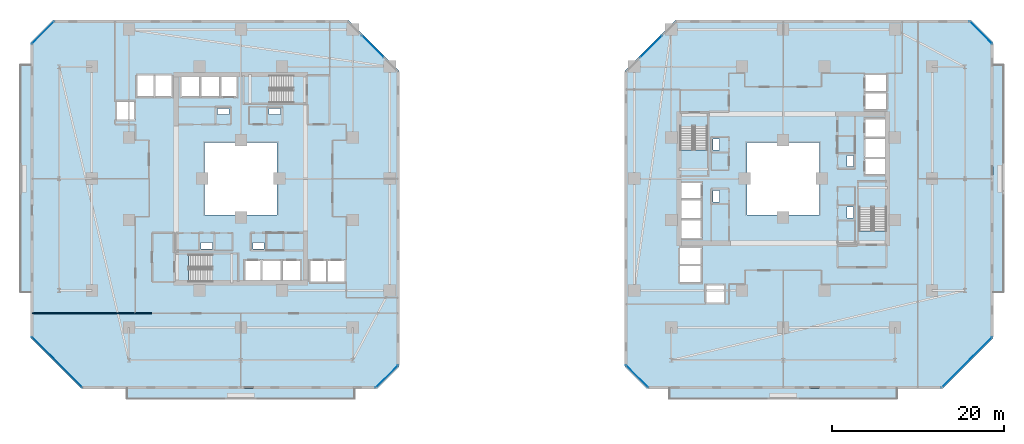
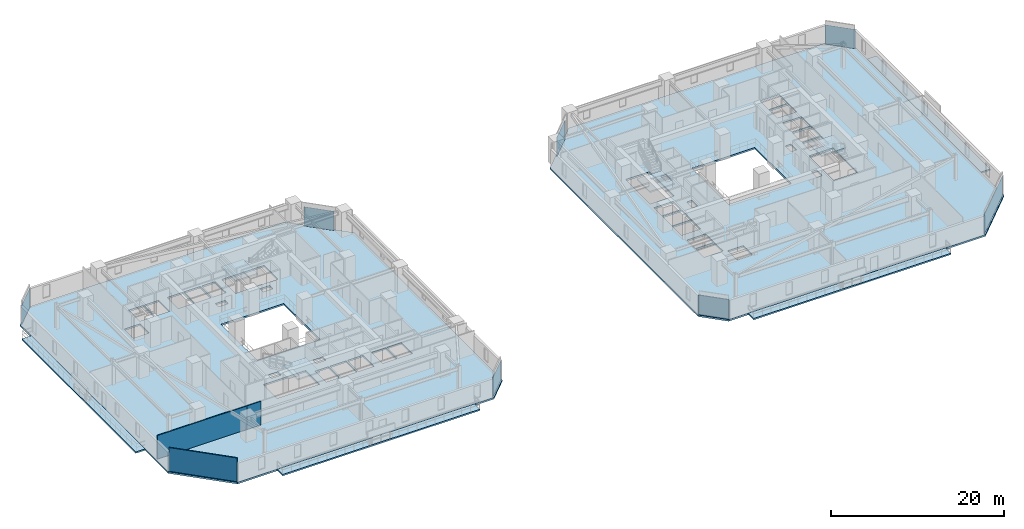
# One storey, part 17 of 33: 10 slabs, 8 plates, 3 walls, 12 elements without a shape of their own.
"""IFC4 building model written with IfcOpenShell, lengths in metres."""

from ifc_helpers import new_model, si_unit, direction, frame, frame_2d, origin, origin_2d, place, context, subcontext, project, spatial, polyline, rectangle, outline, extrude, material, layer, layer_set, type_object, element, aggregate, save


model = new_model("IFC4")

# Units and contexts
model_context = context("Model", 3, precision=1e-05, world=origin(), true_north=direction((0.0, 1.0)))
body_context = subcontext(model_context, "Body", "Model", "MODEL_VIEW")
ifc_project = project(units=[si_unit("LENGTHUNIT", "METRE"), si_unit("AREAUNIT", "SQUARE_METRE"), si_unit("VOLUMEUNIT", "CUBIC_METRE"), si_unit("PLANEANGLEUNIT", "RADIAN"), si_unit("MASSUNIT", "GRAM", prefix="KILO")], contexts=[model_context])

# Site, building, storey
site_placement = place(None, origin())
site = spatial("IfcSite", under=ifc_project, at=site_placement, CompositionType="ELEMENT")
building_placement = place(site_placement, origin())
building = spatial("IfcBuilding", under=site, at=building_placement, Name="Thornwick Lancets Civic Towers", CompositionType="ELEMENT")
storey_placement = place(building_placement, frame((0.0, 0.0, 31.5)))
storey = spatial("IfcBuildingStorey", under=building, at=storey_placement, Name="L07", CompositionType="ELEMENT", Elevation=31.5)

# Curtain wall, plate
ifc_material_1 = material(Name="Low-zone chamfered-corner unitised glass curtain wall", Category="glass")
curtain_wall_type = type_object("IfcCurtainWallType", Name="CW_SYS_03", PredefinedType="NOTDEFINED", material=ifc_material_1)
curtain_wall_1_placement = place(storey_placement, origin())
curtain_wall_1 = element("IfcCurtainWall", 1, at=curtain_wall_1_placement, inside=storey, type_object=curtain_wall_type, Name="L07 Curtain Wall CW-L07-A-E1", PredefinedType="NOTDEFINED")
ifc_material_2 = material(Name="Low-e double glazing clear glass", Category="glass")
ifc_layer_1 = layer(ifc_material_2, 0.035888671875, Name="Low-e double glazing clear glass")
ifc_layer_set_1 = layer_set([ifc_layer_1], Name="Low-e double glazing clear glass")
plate_type = type_object("IfcPlateType", Name="CW_PNL_GLASS", PredefinedType="CURTAIN_PANEL", material=ifc_layer_set_1)
plate_1_placement = place(storey_placement, frame((42.472900390625, 4.027099609375, 0.0), z_axis=(0.0, 0.0, 1.0), x_axis=(0.707106781187, 0.707106781187, 0.0)))
plate_1 = element("IfcPlate", 2, at=plate_1_placement, type_object=plate_type, Name="CW-L07-A-E1 Panel 0", PredefinedType="CURTAIN_PANEL", context=body_context, shape_type="SweptSolid", body=[
    extrude(rectangle(XDim=3.64990234375, YDim=0.035888671875, at=origin_2d()), origin(), (0.0, 0.0, 1.0), 2.699951171875),
])
aggregate(curtain_wall_1, [plate_1])

curtain_wall_2_placement = place(storey_placement, origin())
curtain_wall_2 = element("IfcCurtainWall", 3, at=curtain_wall_2_placement, inside=storey, type_object=curtain_wall_type, Name="L07 Curtain Wall CW-L07-A-E3", PredefinedType="NOTDEFINED")
plate_2_placement = place(storey_placement, frame((40.837890625, 42.337890625, 0.0), z_axis=(0.0, 0.0, 1.0), x_axis=(-0.707106781187, 0.707106781187, 0.0)))
plate_2 = element("IfcPlate", 4, at=plate_2_placement, type_object=plate_type, Name="CW-L07-A-E3 Panel 0", PredefinedType="CURTAIN_PANEL", context=body_context, shape_type="SweptSolid", body=[
    extrude(rectangle(XDim=3.5771484375, YDim=0.035888671875, at=origin_2d()), origin(), (0.0, 0.0, 1.0), 2.699951171875),
])
aggregate(curtain_wall_2, [plate_2])

curtain_wall_3_placement = place(storey_placement, origin())
curtain_wall_3 = element("IfcCurtainWall", 5, at=curtain_wall_3_placement, inside=storey, type_object=curtain_wall_type, Name="L07 Curtain Wall CW-L07-A-E5", PredefinedType="NOTDEFINED")
plate_3_placement = place(storey_placement, frame((2.527099609375, 43.972900390625, 0.0), z_axis=(0.0, 0.0, 1.0), x_axis=(-0.707106781187, -0.707106781187, 0.0)))
plate_3 = element("IfcPlate", 6, at=plate_3_placement, type_object=plate_type, Name="CW-L07-A-E5 Panel 0", PredefinedType="CURTAIN_PANEL", context=body_context, shape_type="SweptSolid", body=[
    extrude(rectangle(XDim=3.64990234375, YDim=0.035888671875, at=origin_2d()), origin(), (0.0, 0.0, 1.0), 2.699951171875),
])
aggregate(curtain_wall_3, [plate_3])

curtain_wall_4_placement = place(storey_placement, origin())
curtain_wall_4 = element("IfcCurtainWall", 7, at=curtain_wall_4_placement, inside=storey, type_object=curtain_wall_type, Name="L07 Curtain Wall CW-L07-A-E7", PredefinedType="NOTDEFINED")
plate_4_placement = place(storey_placement, frame((4.162109375, 5.662109375, 0.0), z_axis=(0.0, 0.0, 1.0), x_axis=(0.707106781187, -0.707106781187, 0.0)))
plate_4 = element("IfcPlate", 8, at=plate_4_placement, type_object=plate_type, Name="CW-L07-A-E7 Panel 0", PredefinedType="CURTAIN_PANEL", context=body_context, shape_type="SweptSolid", body=[
    extrude(rectangle(XDim=8.2451171875, YDim=0.035888671875, at=origin_2d()), origin(), (0.0, 0.0, 1.0), 2.699951171875),
])
aggregate(curtain_wall_4, [plate_4])

curtain_wall_5_placement = place(storey_placement, origin())
curtain_wall_5 = element("IfcCurtainWall", 9, at=curtain_wall_5_placement, inside=storey, type_object=curtain_wall_type, Name="L07 Curtain Wall CW-L07-B-E1", PredefinedType="NOTDEFINED")
plate_5_placement = place(storey_placement, frame((109.837890625, 5.662109375, 0.0), z_axis=(0.0, 0.0, 1.0), x_axis=(0.707106781187, 0.707106781187, 0.0)))
plate_5 = element("IfcPlate", 10, at=plate_5_placement, type_object=plate_type, Name="CW-L07-B-E1 Panel 0", PredefinedType="CURTAIN_PANEL", context=body_context, shape_type="SweptSolid", body=[
    extrude(rectangle(XDim=8.2451171875, YDim=0.035888671875, at=origin_2d()), origin(), (0.0, 0.0, 1.0), 2.699951171875),
])
aggregate(curtain_wall_5, [plate_5])

curtain_wall_6_placement = place(storey_placement, origin())
curtain_wall_6 = element("IfcCurtainWall", 11, at=curtain_wall_6_placement, inside=storey, type_object=curtain_wall_type, Name="L07 Curtain Wall CW-L07-B-E3", PredefinedType="NOTDEFINED")
plate_6_placement = place(storey_placement, frame((111.472900390625, 43.972900390625, 0.0), z_axis=(0.0, 0.0, 1.0), x_axis=(-0.707106781187, 0.707106781187, 0.0)))
plate_6 = element("IfcPlate", 12, at=plate_6_placement, type_object=plate_type, Name="CW-L07-B-E3 Panel 0", PredefinedType="CURTAIN_PANEL", context=body_context, shape_type="SweptSolid", body=[
    extrude(rectangle(XDim=3.64990234375, YDim=0.035888671875, at=origin_2d()), origin(), (0.0, 0.0, 1.0), 2.699951171875),
])
aggregate(curtain_wall_6, [plate_6])

curtain_wall_7_placement = place(storey_placement, origin())
curtain_wall_7 = element("IfcCurtainWall", 13, at=curtain_wall_7_placement, inside=storey, type_object=curtain_wall_type, Name="L07 Curtain Wall CW-L07-B-E5", PredefinedType="NOTDEFINED")
plate_7_placement = place(storey_placement, frame((73.162109375, 42.337890625, 0.0), z_axis=(0.0, 0.0, 1.0), x_axis=(-0.707106781187, -0.707106781187, 0.0)))
plate_7 = element("IfcPlate", 14, at=plate_7_placement, type_object=plate_type, Name="CW-L07-B-E5 Panel 0", PredefinedType="CURTAIN_PANEL", context=body_context, shape_type="SweptSolid", body=[
    extrude(rectangle(XDim=3.5771484375, YDim=0.035888671875, at=origin_2d()), origin(), (0.0, 0.0, 1.0), 2.699951171875),
])
aggregate(curtain_wall_7, [plate_7])

curtain_wall_8_placement = place(storey_placement, origin())
curtain_wall_8 = element("IfcCurtainWall", 15, at=curtain_wall_8_placement, inside=storey, type_object=curtain_wall_type, Name="L07 Curtain Wall CW-L07-B-E7", PredefinedType="NOTDEFINED")
plate_8_placement = place(storey_placement, frame((71.527099609375, 4.027099609375, 0.0), z_axis=(0.0, 0.0, 1.0), x_axis=(0.707106781187, -0.707106781187, 0.0)))
plate_8 = element("IfcPlate", 16, at=plate_8_placement, type_object=plate_type, Name="CW-L07-B-E7 Panel 0", PredefinedType="CURTAIN_PANEL", context=body_context, shape_type="SweptSolid", body=[
    extrude(rectangle(XDim=3.64990234375, YDim=0.035888671875, at=origin_2d()), origin(), (0.0, 0.0, 1.0), 2.699951171875),
])
aggregate(curtain_wall_8, [plate_8])

# Slabs
ifc_material_3 = material(Name="Post-tensioned concrete C40/50", Category="concrete")
ifc_layer_2 = layer(ifc_material_3, 0.199951171875, Name="Post-tensioned concrete C40/50")
ifc_layer_set_2 = layer_set([ifc_layer_2], Name="Post-tensioned concrete C40/50")
slab_type_1 = type_object("IfcSlabType", Name="SLAB_BALCONY_200", PredefinedType="FLOOR", material=ifc_layer_set_2)
slab_1_placement = place(storey_placement, frame((0.0, 0.0, -0.199951171875)))
element("IfcSlab", 17, at=slab_1_placement, inside=storey, type_object=slab_type_1, Name="L07 Tower A Planted Balcony Slab W", PredefinedType="FLOOR", context=body_context, shape_type="SweptSolid", body=[
    extrude(outline(polyline([(-0.14990234375, 13.800048828125), (1.10009765625, 13.800048828125), (1.10009765625, 40.199951171875), (-0.14990234375, 40.199951171875), (-0.14990234375, 13.800048828125)])), origin(), (0.0, 0.0, 1.0), 0.199951171875),
])
slab_2_placement = place(storey_placement, frame((0.0, 0.0, -0.199951171875)))
element("IfcSlab", 18, at=slab_2_placement, inside=storey, type_object=slab_type_1, Name="L07 Tower A Planted Balcony Slab S", PredefinedType="FLOOR", context=body_context, shape_type="SweptSolid", body=[
    extrude(outline(polyline([(12.300048828125, 1.35009765625), (38.699951171875, 1.35009765625), (38.699951171875, 2.60009765625), (12.300048828125, 2.60009765625), (12.300048828125, 1.35009765625)])), origin(), (0.0, 0.0, 1.0), 0.199951171875),
])
slab_3_placement = place(storey_placement, frame((0.0, 0.0, -0.199951171875)))
element("IfcSlab", 19, at=slab_3_placement, inside=storey, type_object=slab_type_1, Name="L07 Tower B Planted Balcony Slab E", PredefinedType="FLOOR", context=body_context, shape_type="SweptSolid", body=[
    extrude(outline(polyline([(112.89990234375, 13.800048828125), (114.14990234375, 13.800048828125), (114.14990234375, 40.199951171875), (112.89990234375, 40.199951171875), (112.89990234375, 13.800048828125)])), origin(), (0.0, 0.0, 1.0), 0.199951171875),
])
slab_4_placement = place(storey_placement, frame((0.0, 0.0, -0.199951171875)))
element("IfcSlab", 20, at=slab_4_placement, inside=storey, type_object=slab_type_1, Name="L07 Tower B Planted Balcony Slab S", PredefinedType="FLOOR", context=body_context, shape_type="SweptSolid", body=[
    extrude(outline(polyline([(75.300048828125, 1.35009765625), (101.699951171875, 1.35009765625), (101.699951171875, 2.60009765625), (75.300048828125, 2.60009765625), (75.300048828125, 1.35009765625)])), origin(), (0.0, 0.0, 1.0), 0.199951171875),
])

# Stair, slab
ifc_material_4 = material(Name="Concrete C40/50", Category="concrete")
stair_type = type_object("IfcStairType", Name="STAIR_DL_3600", PredefinedType="HALF_TURN_STAIR", material=ifc_material_4)
stair_1_placement = place(storey_placement, origin())
stair_1 = element("IfcStair", 21, at=stair_1_placement, inside=storey, type_object=stair_type, Name="L07 Tower A South Exit Stair ST-A1", PredefinedType="HALF_TURN_STAIR")
ifc_layer_3 = layer(ifc_material_4, 0.25, Name="Concrete C40/50")
ifc_layer_set_3 = layer_set([ifc_layer_3], Name="Concrete C40/50")
slab_type_2 = type_object("IfcSlabType", Name="SLAB_LANDING_200", PredefinedType="LANDING", material=ifc_layer_set_3)
slab_5_placement = place(storey_placement, frame((0.0, 0.0, 1.60302734375)))
slab_5 = element("IfcSlab", 22, at=slab_5_placement, type_object=slab_type_2, Name="ST-A1 landing 1", PredefinedType="LANDING", context=body_context, shape_type="SweptSolid", body=[
    extrude(outline(polyline([(22.169921875, 14.93994140625), (25.14990234375, 14.93994140625), (25.14990234375, 18.260009765625), (22.169921875, 18.260009765625), (22.169921875, 14.93994140625)])), origin(), (0.0, 0.0, 1.0), 0.199951171875),
])
aggregate(stair_1, [slab_5])

stair_2_placement = place(storey_placement, origin())
stair_2 = element("IfcStair", 23, at=stair_2_placement, inside=storey, type_object=stair_type, Name="L07 Tower A North Exit Stair ST-A2", PredefinedType="HALF_TURN_STAIR")
slab_6_placement = place(storey_placement, frame((0.0, 0.0, 1.60302734375)))
slab_6 = element("IfcSlab", 24, at=slab_6_placement, type_object=slab_type_2, Name="ST-A2 landing 1", PredefinedType="LANDING", context=body_context, shape_type="SweptSolid", body=[
    extrude(outline(polyline([(28.830078125, 39.06005859375), (25.85009765625, 39.06005859375), (25.85009765625, 35.739990234375), (28.830078125, 35.739990234375), (28.830078125, 39.06005859375)])), origin(), (0.0, 0.0, 1.0), 0.199951171875),
])
aggregate(stair_2, [slab_6])

stair_3_placement = place(storey_placement, origin())
stair_3 = element("IfcStair", 25, at=stair_3_placement, inside=storey, type_object=stair_type, Name="L07 Tower B East Exit Stair ST-B1", PredefinedType="HALF_TURN_STAIR")
slab_7_placement = place(storey_placement, frame((0.0, 0.0, 1.60302734375)))
slab_7 = element("IfcSlab", 26, at=slab_7_placement, type_object=slab_type_2, Name="ST-B1 landing 1", PredefinedType="LANDING", context=body_context, shape_type="SweptSolid", body=[
    extrude(outline(polyline([(100.56005859375, 23.669921875), (100.56005859375, 26.64990234375), (97.239990234375, 26.64990234375), (97.239990234375, 23.669921875), (100.56005859375, 23.669921875)])), origin(), (0.0, 0.0, 1.0), 0.199951171875),
])
aggregate(stair_3, [slab_7])

stair_4_placement = place(storey_placement, origin())
stair_4 = element("IfcStair", 27, at=stair_4_placement, inside=storey, type_object=stair_type, Name="L07 Tower B West Exit Stair ST-B2", PredefinedType="HALF_TURN_STAIR")
slab_8_placement = place(storey_placement, frame((0.0, 0.0, 1.60302734375)))
slab_8 = element("IfcSlab", 28, at=slab_8_placement, type_object=slab_type_2, Name="ST-B2 landing 1", PredefinedType="LANDING", context=body_context, shape_type="SweptSolid", body=[
    extrude(outline(polyline([(76.43994140625, 30.330078125), (76.43994140625, 27.35009765625), (79.760009765625, 27.35009765625), (79.760009765625, 30.330078125), (76.43994140625, 30.330078125)])), origin(), (0.0, 0.0, 1.0), 0.199951171875),
])
aggregate(stair_4, [slab_8])

# Slabs
ifc_layer_4 = layer(ifc_material_3, 0.239990234375, Name="Post-tensioned concrete C40/50")
ifc_layer_set_4 = layer_set([ifc_layer_4], Name="Post-tensioned concrete C40/50")
slab_type_3 = type_object("IfcSlabType", Name="SLAB_PT_240", PredefinedType="FLOOR", material=ifc_layer_set_4)
slab_9_placement = place(storey_placement, frame((0.0, 0.0, -0.239990234375)))
element("IfcSlab", 29, at=slab_9_placement, inside=storey, type_object=slab_type_3, Name="L07 Tower A Floor Slab", PredefinedType="FLOOR", context=body_context, shape_type="SweptSolid", body=[
    extrude(outline(polyline([(6.972900390625, 2.60009765625), (41.300048828125, 2.60009765625), (43.89990234375, 5.199951171875), (43.89990234375, 39.527099609375), (38.027099609375, 45.39990234375), (3.699951171875, 45.39990234375), (1.10009765625, 42.800048828125), (1.10009765625, 8.472900390625), (6.972900390625, 2.60009765625)]), holes=[polyline([(21.300048828125, 22.800048828125), (29.699951171875, 22.800048828125), (29.699951171875, 31.199951171875), (21.300048828125, 31.199951171875), (21.300048828125, 22.800048828125)]), polyline([(19.429931640625, 15.0), (25.10009765625, 15.0), (25.10009765625, 18.199951171875), (19.429931640625, 18.199951171875), (19.429931640625, 15.0)]), polyline([(31.570068359375, 39.0), (25.89990234375, 39.0), (25.89990234375, 35.800048828125), (31.570068359375, 35.800048828125), (31.570068359375, 39.0)]), polyline([(26.0, 15.0), (27.800048828125, 15.0), (27.800048828125, 17.550048828125), (26.0, 17.550048828125), (26.0, 15.0)]), polyline([(28.0, 15.0), (30.14990234375, 15.0), (30.14990234375, 17.550048828125), (28.0, 17.550048828125), (28.0, 15.0)]), polyline([(30.35009765625, 15.0), (32.39990234375, 15.0), (32.39990234375, 17.550048828125), (30.35009765625, 17.550048828125), (30.35009765625, 15.0)]), polyline([(33.550048828125, 15.0), (35.449951171875, 15.0), (35.449951171875, 17.550048828125), (33.550048828125, 17.550048828125), (33.550048828125, 15.0)]), polyline([(35.60009765625, 15.0), (37.550048828125, 15.0), (37.550048828125, 17.550048828125), (35.60009765625, 17.550048828125), (35.60009765625, 15.0)]), polyline([(23.199951171875, 36.449951171875), (25.0, 36.449951171875), (25.0, 39.0), (23.199951171875, 39.0), (23.199951171875, 36.449951171875)]), polyline([(20.85009765625, 36.449951171875), (23.0, 36.449951171875), (23.0, 39.0), (20.85009765625, 39.0), (20.85009765625, 36.449951171875)]), polyline([(18.60009765625, 36.449951171875), (20.699951171875, 36.449951171875), (20.699951171875, 39.0), (18.60009765625, 39.0), (18.60009765625, 36.449951171875)]), polyline([(15.550048828125, 36.449951171875), (17.449951171875, 36.449951171875), (17.449951171875, 39.0), (15.550048828125, 39.0), (15.550048828125, 36.449951171875)]), polyline([(13.449951171875, 36.449951171875), (15.39990234375, 36.449951171875), (15.39990234375, 39.0), (13.449951171875, 39.0), (13.449951171875, 36.449951171875)]), polyline([(11.10009765625, 33.85009765625), (13.199951171875, 33.85009765625), (13.199951171875, 35.949951171875), (11.10009765625, 35.949951171875), (11.10009765625, 33.85009765625)]), polyline([(26.89990234375, 18.85009765625), (28.199951171875, 18.85009765625), (28.199951171875, 19.580078125), (26.89990234375, 19.580078125), (26.89990234375, 18.85009765625)]), polyline([(20.89990234375, 18.85009765625), (22.199951171875, 18.85009765625), (22.199951171875, 19.580078125), (20.89990234375, 19.580078125), (20.89990234375, 18.85009765625)]), polyline([(22.800048828125, 34.419921875), (24.10009765625, 34.419921875), (24.10009765625, 35.14990234375), (22.800048828125, 35.14990234375), (22.800048828125, 34.419921875)]), polyline([(28.800048828125, 34.419921875), (30.10009765625, 34.419921875), (30.10009765625, 35.14990234375), (28.800048828125, 35.14990234375), (28.800048828125, 34.419921875)])]), origin(), (0.0, 0.0, 1.0), 0.239990234375),
])
slab_10_placement = place(storey_placement, frame((0.0, 0.0, -0.239990234375)))
element("IfcSlab", 30, at=slab_10_placement, inside=storey, type_object=slab_type_3, Name="L07 Tower B Floor Slab", PredefinedType="FLOOR", context=body_context, shape_type="SweptSolid", body=[
    extrude(outline(polyline([(72.699951171875, 2.60009765625), (107.027099609375, 2.60009765625), (112.89990234375, 8.472900390625), (112.89990234375, 42.800048828125), (110.300048828125, 45.39990234375), (75.972900390625, 45.39990234375), (70.10009765625, 39.527099609375), (70.10009765625, 5.199951171875), (72.699951171875, 2.60009765625)]), holes=[polyline([(84.300048828125, 22.800048828125), (92.699951171875, 22.800048828125), (92.699951171875, 31.199951171875), (84.300048828125, 31.199951171875), (84.300048828125, 22.800048828125)]), polyline([(100.5, 20.929931640625), (100.5, 26.60009765625), (97.300048828125, 26.60009765625), (97.300048828125, 20.929931640625), (100.5, 20.929931640625)]), polyline([(76.5, 33.070068359375), (76.5, 27.39990234375), (79.699951171875, 27.39990234375), (79.699951171875, 33.070068359375), (76.5, 33.070068359375)]), polyline([(97.949951171875, 27.5), (100.5, 27.5), (100.5, 29.300048828125), (97.949951171875, 29.300048828125), (97.949951171875, 27.5)]), polyline([(97.949951171875, 29.5), (100.5, 29.5), (100.5, 31.64990234375), (97.949951171875, 31.64990234375), (97.949951171875, 29.5)]), polyline([(97.949951171875, 31.85009765625), (100.5, 31.85009765625), (100.5, 33.89990234375), (97.949951171875, 33.89990234375), (97.949951171875, 31.85009765625)]), polyline([(97.949951171875, 35.050048828125), (100.5, 35.050048828125), (100.5, 36.949951171875), (97.949951171875, 36.949951171875), (97.949951171875, 35.050048828125)]), polyline([(97.949951171875, 37.10009765625), (100.5, 37.10009765625), (100.5, 39.050048828125), (97.949951171875, 39.050048828125), (97.949951171875, 37.10009765625)]), polyline([(76.5, 24.699951171875), (79.050048828125, 24.699951171875), (79.050048828125, 26.5), (76.5, 26.5), (76.5, 24.699951171875)]), polyline([(76.5, 22.35009765625), (79.050048828125, 22.35009765625), (79.050048828125, 24.5), (76.5, 24.5), (76.5, 22.35009765625)]), polyline([(76.5, 20.10009765625), (79.050048828125, 20.10009765625), (79.050048828125, 22.199951171875), (76.5, 22.199951171875), (76.5, 20.10009765625)]), polyline([(76.5, 17.050048828125), (79.050048828125, 17.050048828125), (79.050048828125, 18.949951171875), (76.5, 18.949951171875), (76.5, 17.050048828125)]), polyline([(76.5, 14.949951171875), (79.050048828125, 14.949951171875), (79.050048828125, 16.89990234375), (76.5, 16.89990234375), (76.5, 14.949951171875)]), polyline([(79.550048828125, 12.60009765625), (81.64990234375, 12.60009765625), (81.64990234375, 14.699951171875), (79.550048828125, 14.699951171875), (79.550048828125, 12.60009765625)]), polyline([(95.919921875, 28.39990234375), (96.64990234375, 28.39990234375), (96.64990234375, 29.699951171875), (95.919921875, 29.699951171875), (95.919921875, 28.39990234375)]), polyline([(95.919921875, 22.39990234375), (96.64990234375, 22.39990234375), (96.64990234375, 23.699951171875), (95.919921875, 23.699951171875), (95.919921875, 22.39990234375)]), polyline([(80.35009765625, 24.300048828125), (81.080078125, 24.300048828125), (81.080078125, 25.60009765625), (80.35009765625, 25.60009765625), (80.35009765625, 24.300048828125)]), polyline([(80.35009765625, 30.300048828125), (81.080078125, 30.300048828125), (81.080078125, 31.60009765625), (80.35009765625, 31.60009765625), (80.35009765625, 30.300048828125)])]), origin(), (0.0, 0.0, 1.0), 0.239990234375),
])

# Walls
ifc_material_5 = material(Name="Acoustic gypsum board partition")
ifc_layer_5 = layer(ifc_material_5, 0.1201171875, Name="Acoustic gypsum board partition")
ifc_layer_set_5 = layer_set([ifc_layer_5], Name="Acoustic gypsum board partition")
wall_type = type_object("IfcWallType", Name="WALL_PART_120", PredefinedType="PARTITIONING", material=ifc_layer_set_5)
wall_1_placement = place(storey_placement, frame((13.25, 11.35009765625, 0.0), z_axis=(0.0, 0.0, 1.0), x_axis=(-1.0, 0.0, 0.0)))
element("IfcWall", 31, at=wall_1_placement, inside=storey, type_object=wall_type, Name="L07 Partition L07-A-W1 E4", PredefinedType="PARTITIONING", context=body_context, shape_type="SweptSolid", body=[
    extrude(rectangle(XDim=11.969970703125, YDim=0.1201171875, at=frame_2d((5.98486328125, 0.0))), origin(), (0.0, 0.0, 1.0), 3.340087890625),
])
wall_2_placement = place(storey_placement, frame((7.047607421875, 2.780029296875, 0.0), z_axis=(0.0, 0.0, 1.0), x_axis=(-0.707106781187, 0.707106781187, 0.0)))
element("IfcWall", 32, at=wall_2_placement, inside=storey, type_object=wall_type, Name="L07 Partition L07-A-S-OFF E2", PredefinedType="PARTITIONING", context=body_context, shape_type="SweptSolid", body=[
    extrude(rectangle(XDim=8.156494140625, YDim=0.1201171875, at=frame_2d((4.078125, 0.0))), origin(), (0.0, 0.0, 1.0), 3.340087890625),
])
wall_3_placement = place(storey_placement, frame((13.25, 11.35009765625, 0.0), z_axis=(0.0, 0.0, 1.0), x_axis=(1.0, 0.0, 0.0)))
element("IfcWall", 33, at=wall_3_placement, inside=storey, type_object=wall_type, Name="L07 Partition L07-A-S-OFF E5", PredefinedType="PARTITIONING", context=body_context, shape_type="SweptSolid", body=[
    extrude(rectangle(XDim=1.89990234375, YDim=0.1201171875, at=frame_2d((0.949951171875, 0.0))), origin(), (0.0, 0.0, 1.0), 3.340087890625),
])

save(model, "model.ifc")
